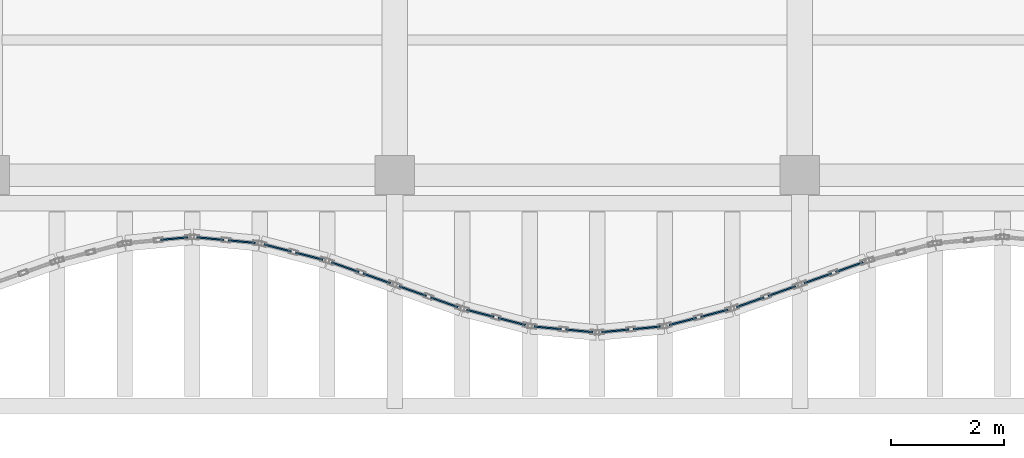
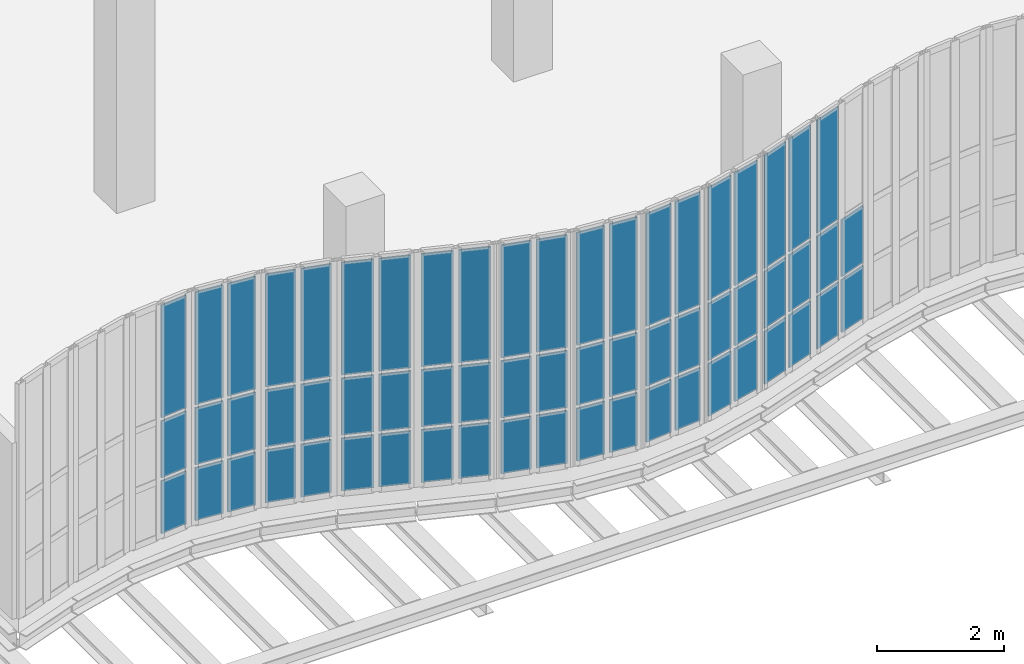
# One storey, part 68 of 108: 62 plates, 11 elements without a shape of their own.
"""IFC4 building model written with IfcOpenShell, lengths in metres."""

from ifc_helpers import new_model, si_unit, direction, frame, origin, origin_2d, place, context, subcontext, project, spatial, rectangle, extrude, material, layer, layer_set, type_object, element, aggregate, save


model = new_model("IFC4")

# Units and contexts
model_context = context("Model", 3, precision=1e-05, world=origin(), true_north=direction((0.0, 1.0)))
body_context = subcontext(model_context, "Body", "Model", "MODEL_VIEW")
ifc_project = project(units=[si_unit("LENGTHUNIT", "METRE"), si_unit("AREAUNIT", "SQUARE_METRE"), si_unit("VOLUMEUNIT", "CUBIC_METRE"), si_unit("PLANEANGLEUNIT", "RADIAN"), si_unit("MASSUNIT", "GRAM", prefix="KILO"), si_unit("THERMODYNAMICTEMPERATUREUNIT", "KELVIN"), si_unit("POWERUNIT", "WATT")], contexts=[model_context])

# Site, building, storey
site_placement = place(None, origin())
site = spatial("IfcSite", under=ifc_project, at=site_placement, CompositionType="ELEMENT")
building_placement = place(site_placement, origin())
building = spatial("IfcBuilding", under=site, at=building_placement, Name="Kaldorven Railside Theatre", CompositionType="ELEMENT")
storey_placement = place(building_placement, frame((0.0, 0.0, 5.39990234375)))
storey = spatial("IfcBuildingStorey", under=building, at=storey_placement, Name="L01", CompositionType="ELEMENT", Elevation=5.39990234375)

# Curtain wall, plates
ifc_material = material(Name="Low-E laminated solar-control glass", Category="glass")
ifc_layer_1 = layer(ifc_material, 0.159912109375, Name="Low-E laminated solar-control glass")
ifc_layer_set_1 = layer_set([ifc_layer_1], Name="Low-E laminated solar-control glass")
curtain_wall_type_1 = type_object("IfcCurtainWallType", Name="CWT-03", PredefinedType="USERDEFINED", material=ifc_layer_set_1)
curtain_wall_1_placement = place(storey_placement, origin())
curtain_wall_1 = element("IfcCurtainWall", 1, at=curtain_wall_1_placement, inside=storey, type_object=curtain_wall_type_1, Name="Sinusoidal Fluted Curtain Wall CW-L01-S03", ObjectType="FLUTED GLAZING", PredefinedType="USERDEFINED")
ifc_layer_2 = layer(ifc_material, 0.028076171875, Name="Low-E laminated solar-control glass")
ifc_layer_set_2 = layer_set([ifc_layer_2], Name="Low-E laminated solar-control glass")
plate_type = type_object("IfcPlateType", Name="CWP-GLZ28", PredefinedType="CURTAIN_PANEL", material=ifc_layer_set_2)
plate_1_placement = place(storey_placement, frame((40.080078125, 18.069580078125, 0.06005859375), z_axis=(0.0, 0.0, 1.0), x_axis=(0.995525623425, 0.094491973758, 0.0)))
plate_1 = element("IfcPlate", 2, at=plate_1_placement, type_object=plate_type, Name="CW-L01-S03 panel 2.1", PredefinedType="CURTAIN_PANEL", context=body_context, shape_type="SweptSolid", body=[
    extrude(rectangle(XDim=0.482666015625, YDim=0.028076171875, at=origin_2d()), origin(), (0.0, 0.0, 1.0), 1.010009765625),
])
plate_2_placement = place(storey_placement, frame((40.080078125, 18.069580078125, 1.1298828125), z_axis=(0.0, 0.0, 1.0), x_axis=(0.995525623425, 0.094491973758, 0.0)))
plate_2 = element("IfcPlate", 3, at=plate_2_placement, type_object=plate_type, Name="CW-L01-S03 panel 2.2", PredefinedType="CURTAIN_PANEL", context=body_context, shape_type="SweptSolid", body=[
    extrude(rectangle(XDim=0.482666015625, YDim=0.028076171875, at=origin_2d()), origin(), (0.0, 0.0, 1.0), 1.090087890625),
])
plate_3_placement = place(storey_placement, frame((40.080078125, 18.069580078125, 2.2802734375), z_axis=(0.0, 0.0, 1.0), x_axis=(0.995525623425, 0.094491973758, 0.0)))
plate_3 = element("IfcPlate", 4, at=plate_3_placement, type_object=plate_type, Name="CW-L01-S03 panel 2.3", PredefinedType="CURTAIN_PANEL", context=body_context, shape_type="SweptSolid", body=[
    extrude(rectangle(XDim=0.482666015625, YDim=0.028076171875, at=origin_2d()), origin(), (0.0, 0.0, 1.0), 2.159912109375),
])
aggregate(curtain_wall_1, [plate_1, plate_2, plate_3])

curtain_wall_2_placement = place(storey_placement, origin())
curtain_wall_2 = element("IfcCurtainWall", 5, at=curtain_wall_2_placement, inside=storey, type_object=curtain_wall_type_1, Name="Sinusoidal Fluted Curtain Wall CW-L01-S04", ObjectType="FLUTED GLAZING", PredefinedType="USERDEFINED")
plate_4_placement = place(storey_placement, frame((40.719970703125, 18.069580078125, 0.06005859375), z_axis=(0.0, 0.0, 1.0), x_axis=(0.995525623425, -0.094491973758, 0.0)))
plate_4 = element("IfcPlate", 6, at=plate_4_placement, type_object=plate_type, Name="CW-L01-S04 panel 1.1", PredefinedType="CURTAIN_PANEL", context=body_context, shape_type="SweptSolid", body=[
    extrude(rectangle(XDim=0.482666015625, YDim=0.028076171875, at=origin_2d()), origin(), (0.0, 0.0, 1.0), 1.010009765625),
])
plate_5_placement = place(storey_placement, frame((40.719970703125, 18.069580078125, 1.1298828125), z_axis=(0.0, 0.0, 1.0), x_axis=(0.995525623425, -0.094491973758, 0.0)))
plate_5 = element("IfcPlate", 7, at=plate_5_placement, type_object=plate_type, Name="CW-L01-S04 panel 1.2", PredefinedType="CURTAIN_PANEL", context=body_context, shape_type="SweptSolid", body=[
    extrude(rectangle(XDim=0.482666015625, YDim=0.028076171875, at=origin_2d()), origin(), (0.0, 0.0, 1.0), 1.090087890625),
])
plate_6_placement = place(storey_placement, frame((40.719970703125, 18.069580078125, 2.2802734375), z_axis=(0.0, 0.0, 1.0), x_axis=(0.995525623425, -0.094491973758, 0.0)))
plate_6 = element("IfcPlate", 8, at=plate_6_placement, type_object=plate_type, Name="CW-L01-S04 panel 1.3", PredefinedType="CURTAIN_PANEL", context=body_context, shape_type="SweptSolid", body=[
    extrude(rectangle(XDim=0.482666015625, YDim=0.028076171875, at=origin_2d()), origin(), (0.0, 0.0, 1.0), 2.159912109375),
])
plate_7_placement = place(storey_placement, frame((41.280029296875, 18.016357421875, 0.06005859375), z_axis=(0.0, 0.0, 1.0), x_axis=(0.995525623425, -0.094491973758, 0.0)))
plate_7 = element("IfcPlate", 9, at=plate_7_placement, type_object=plate_type, Name="CW-L01-S04 panel 2.1", PredefinedType="CURTAIN_PANEL", context=body_context, shape_type="SweptSolid", body=[
    extrude(rectangle(XDim=0.482666015625, YDim=0.028076171875, at=origin_2d()), origin(), (0.0, 0.0, 1.0), 1.010009765625),
])
plate_8_placement = place(storey_placement, frame((41.280029296875, 18.016357421875, 1.1298828125), z_axis=(0.0, 0.0, 1.0), x_axis=(0.995525623425, -0.094491973758, 0.0)))
plate_8 = element("IfcPlate", 10, at=plate_8_placement, type_object=plate_type, Name="CW-L01-S04 panel 2.2", PredefinedType="CURTAIN_PANEL", context=body_context, shape_type="SweptSolid", body=[
    extrude(rectangle(XDim=0.482666015625, YDim=0.028076171875, at=origin_2d()), origin(), (0.0, 0.0, 1.0), 1.090087890625),
])
plate_9_placement = place(storey_placement, frame((41.280029296875, 18.016357421875, 2.2802734375), z_axis=(0.0, 0.0, 1.0), x_axis=(0.995525623425, -0.094491973758, 0.0)))
plate_9 = element("IfcPlate", 11, at=plate_9_placement, type_object=plate_type, Name="CW-L01-S04 panel 2.3", PredefinedType="CURTAIN_PANEL", context=body_context, shape_type="SweptSolid", body=[
    extrude(rectangle(XDim=0.482666015625, YDim=0.028076171875, at=origin_2d()), origin(), (0.0, 0.0, 1.0), 2.159912109375),
])
aggregate(curtain_wall_2, [plate_4, plate_5, plate_6, plate_7, plate_8, plate_9])

ifc_layer_3 = layer(ifc_material, 0.159912109375, Name="Low-E laminated solar-control glass")
ifc_layer_set_3 = layer_set([ifc_layer_3], Name="Low-E laminated solar-control glass")
curtain_wall_type_2 = type_object("IfcCurtainWallType", Name="CWT-02", PredefinedType="USERDEFINED", material=ifc_layer_set_3)
curtain_wall_3_placement = place(storey_placement, origin())
curtain_wall_3 = element("IfcCurtainWall", 12, at=curtain_wall_3_placement, inside=storey, type_object=curtain_wall_type_2, Name="Sinusoidal Fluted Curtain Wall CW-L01-S05", ObjectType="FLUTED GLAZING", PredefinedType="USERDEFINED")
plate_10_placement = place(storey_placement, frame((41.91943359375, 17.9033203125, 0.06005859375), z_axis=(0.0, 0.0, 1.0), x_axis=(0.967999075505, -0.250953760326, 0.0)))
plate_10 = element("IfcPlate", 13, at=plate_10_placement, type_object=plate_type, Name="CW-L01-S05 panel 1.1", PredefinedType="CURTAIN_PANEL", context=body_context, shape_type="SweptSolid", body=[
    extrude(rectangle(XDim=0.499755859375, YDim=0.028076171875, at=origin_2d()), origin(), (0.0, 0.0, 1.0), 1.010009765625),
])
plate_11_placement = place(storey_placement, frame((41.91943359375, 17.9033203125, 1.1298828125), z_axis=(0.0, 0.0, 1.0), x_axis=(0.967999075505, -0.250953760326, 0.0)))
plate_11 = element("IfcPlate", 14, at=plate_11_placement, type_object=plate_type, Name="CW-L01-S05 panel 1.2", PredefinedType="CURTAIN_PANEL", context=body_context, shape_type="SweptSolid", body=[
    extrude(rectangle(XDim=0.499755859375, YDim=0.028076171875, at=origin_2d()), origin(), (0.0, 0.0, 1.0), 1.090087890625),
])
plate_12_placement = place(storey_placement, frame((41.91943359375, 17.9033203125, 2.2802734375), z_axis=(0.0, 0.0, 1.0), x_axis=(0.967999075505, -0.250953760326, 0.0)))
plate_12 = element("IfcPlate", 15, at=plate_12_placement, type_object=plate_type, Name="CW-L01-S05 panel 1.3", PredefinedType="CURTAIN_PANEL", context=body_context, shape_type="SweptSolid", body=[
    extrude(rectangle(XDim=0.499755859375, YDim=0.028076171875, at=origin_2d()), origin(), (0.0, 0.0, 1.0), 2.159912109375),
])
plate_13_placement = place(storey_placement, frame((42.480712890625, 17.7578125, 0.06005859375), z_axis=(0.0, 0.0, 1.0), x_axis=(0.967999075505, -0.250953760326, 0.0)))
plate_13 = element("IfcPlate", 16, at=plate_13_placement, type_object=plate_type, Name="CW-L01-S05 panel 2.1", PredefinedType="CURTAIN_PANEL", context=body_context, shape_type="SweptSolid", body=[
    extrude(rectangle(XDim=0.499755859375, YDim=0.028076171875, at=origin_2d()), origin(), (0.0, 0.0, 1.0), 1.010009765625),
])
plate_14_placement = place(storey_placement, frame((42.480712890625, 17.7578125, 1.1298828125), z_axis=(0.0, 0.0, 1.0), x_axis=(0.967999075505, -0.250953760326, 0.0)))
plate_14 = element("IfcPlate", 17, at=plate_14_placement, type_object=plate_type, Name="CW-L01-S05 panel 2.2", PredefinedType="CURTAIN_PANEL", context=body_context, shape_type="SweptSolid", body=[
    extrude(rectangle(XDim=0.499755859375, YDim=0.028076171875, at=origin_2d()), origin(), (0.0, 0.0, 1.0), 1.090087890625),
])
plate_15_placement = place(storey_placement, frame((42.480712890625, 17.7578125, 2.2802734375), z_axis=(0.0, 0.0, 1.0), x_axis=(0.967999075505, -0.250953760326, 0.0)))
plate_15 = element("IfcPlate", 18, at=plate_15_placement, type_object=plate_type, Name="CW-L01-S05 panel 2.3", PredefinedType="CURTAIN_PANEL", context=body_context, shape_type="SweptSolid", body=[
    extrude(rectangle(XDim=0.499755859375, YDim=0.028076171875, at=origin_2d()), origin(), (0.0, 0.0, 1.0), 2.159912109375),
])
aggregate(curtain_wall_3, [plate_10, plate_11, plate_12, plate_13, plate_14, plate_15])

ifc_layer_4 = layer(ifc_material, 0.159912109375, Name="Low-E laminated solar-control glass")
ifc_layer_set_4 = layer_set([ifc_layer_4], Name="Low-E laminated solar-control glass")
curtain_wall_type_3 = type_object("IfcCurtainWallType", Name="CWT-01", PredefinedType="USERDEFINED", material=ifc_layer_set_4)
curtain_wall_4_placement = place(storey_placement, origin())
curtain_wall_4 = element("IfcCurtainWall", 19, at=curtain_wall_4_placement, inside=storey, type_object=curtain_wall_type_3, Name="Sinusoidal Fluted Curtain Wall CW-L01-S06", ObjectType="FLUTED GLAZING", PredefinedType="USERDEFINED")
plate_16_placement = place(storey_placement, frame((43.118896484375, 17.56201171875, 0.06005859375), z_axis=(0.0, 0.0, 1.0), x_axis=(0.942627225159, -0.33384714225, 0.0)))
plate_16 = element("IfcPlate", 20, at=plate_16_placement, type_object=plate_type, Name="CW-L01-S06 panel 1.1", PredefinedType="CURTAIN_PANEL", context=body_context, shape_type="SweptSolid", body=[
    extrude(rectangle(XDim=0.5166015625, YDim=0.028076171875, at=origin_2d()), origin(), (0.0, 0.0, 1.0), 1.010009765625),
])
plate_17_placement = place(storey_placement, frame((43.118896484375, 17.56201171875, 1.1298828125), z_axis=(0.0, 0.0, 1.0), x_axis=(0.942627225159, -0.33384714225, 0.0)))
plate_17 = element("IfcPlate", 21, at=plate_17_placement, type_object=plate_type, Name="CW-L01-S06 panel 1.2", PredefinedType="CURTAIN_PANEL", context=body_context, shape_type="SweptSolid", body=[
    extrude(rectangle(XDim=0.5166015625, YDim=0.028076171875, at=origin_2d()), origin(), (0.0, 0.0, 1.0), 1.090087890625),
])
plate_18_placement = place(storey_placement, frame((43.118896484375, 17.56201171875, 2.2802734375), z_axis=(0.0, 0.0, 1.0), x_axis=(0.942627225159, -0.33384714225, 0.0)))
plate_18 = element("IfcPlate", 22, at=plate_18_placement, type_object=plate_type, Name="CW-L01-S06 panel 1.3", PredefinedType="CURTAIN_PANEL", context=body_context, shape_type="SweptSolid", body=[
    extrude(rectangle(XDim=0.5166015625, YDim=0.028076171875, at=origin_2d()), origin(), (0.0, 0.0, 1.0), 2.159912109375),
])
plate_19_placement = place(storey_placement, frame((43.68115234375, 17.363037109375, 0.06005859375), z_axis=(0.0, 0.0, 1.0), x_axis=(0.942627225159, -0.33384714225, 0.0)))
plate_19 = element("IfcPlate", 23, at=plate_19_placement, type_object=plate_type, Name="CW-L01-S06 panel 2.1", PredefinedType="CURTAIN_PANEL", context=body_context, shape_type="SweptSolid", body=[
    extrude(rectangle(XDim=0.5166015625, YDim=0.028076171875, at=origin_2d()), origin(), (0.0, 0.0, 1.0), 1.010009765625),
])
plate_20_placement = place(storey_placement, frame((43.68115234375, 17.363037109375, 1.1298828125), z_axis=(0.0, 0.0, 1.0), x_axis=(0.942627225159, -0.33384714225, 0.0)))
plate_20 = element("IfcPlate", 24, at=plate_20_placement, type_object=plate_type, Name="CW-L01-S06 panel 2.2", PredefinedType="CURTAIN_PANEL", context=body_context, shape_type="SweptSolid", body=[
    extrude(rectangle(XDim=0.5166015625, YDim=0.028076171875, at=origin_2d()), origin(), (0.0, 0.0, 1.0), 1.090087890625),
])
plate_21_placement = place(storey_placement, frame((43.68115234375, 17.363037109375, 2.2802734375), z_axis=(0.0, 0.0, 1.0), x_axis=(0.942627225159, -0.33384714225, 0.0)))
plate_21 = element("IfcPlate", 25, at=plate_21_placement, type_object=plate_type, Name="CW-L01-S06 panel 2.3", PredefinedType="CURTAIN_PANEL", context=body_context, shape_type="SweptSolid", body=[
    extrude(rectangle(XDim=0.5166015625, YDim=0.028076171875, at=origin_2d()), origin(), (0.0, 0.0, 1.0), 2.159912109375),
])
aggregate(curtain_wall_4, [plate_16, plate_17, plate_18, plate_19, plate_20, plate_21])

curtain_wall_5_placement = place(storey_placement, origin())
curtain_wall_5 = element("IfcCurtainWall", 26, at=curtain_wall_5_placement, inside=storey, type_object=curtain_wall_type_3, Name="Sinusoidal Fluted Curtain Wall CW-L01-S07", ObjectType="FLUTED GLAZING", PredefinedType="USERDEFINED")
plate_22_placement = place(storey_placement, frame((44.31884765625, 17.136962890625, 0.06005859375), z_axis=(0.0, 0.0, 1.0), x_axis=(0.942627225159, -0.33384714225, 0.0)))
plate_22 = element("IfcPlate", 27, at=plate_22_placement, type_object=plate_type, Name="CW-L01-S07 panel 1.1", PredefinedType="CURTAIN_PANEL", context=body_context, shape_type="SweptSolid", body=[
    extrude(rectangle(XDim=0.5166015625, YDim=0.028076171875, at=origin_2d()), origin(), (0.0, 0.0, 1.0), 1.010009765625),
])
plate_23_placement = place(storey_placement, frame((44.31884765625, 17.136962890625, 1.1298828125), z_axis=(0.0, 0.0, 1.0), x_axis=(0.942627225159, -0.33384714225, 0.0)))
plate_23 = element("IfcPlate", 28, at=plate_23_placement, type_object=plate_type, Name="CW-L01-S07 panel 1.2", PredefinedType="CURTAIN_PANEL", context=body_context, shape_type="SweptSolid", body=[
    extrude(rectangle(XDim=0.5166015625, YDim=0.028076171875, at=origin_2d()), origin(), (0.0, 0.0, 1.0), 1.090087890625),
])
plate_24_placement = place(storey_placement, frame((44.31884765625, 17.136962890625, 2.2802734375), z_axis=(0.0, 0.0, 1.0), x_axis=(0.942627225159, -0.33384714225, 0.0)))
plate_24 = element("IfcPlate", 29, at=plate_24_placement, type_object=plate_type, Name="CW-L01-S07 panel 1.3", PredefinedType="CURTAIN_PANEL", context=body_context, shape_type="SweptSolid", body=[
    extrude(rectangle(XDim=0.5166015625, YDim=0.028076171875, at=origin_2d()), origin(), (0.0, 0.0, 1.0), 2.159912109375),
])
plate_25_placement = place(storey_placement, frame((44.881103515625, 16.93798828125, 0.06005859375), z_axis=(0.0, 0.0, 1.0), x_axis=(0.942627225159, -0.33384714225, 0.0)))
plate_25 = element("IfcPlate", 30, at=plate_25_placement, type_object=plate_type, Name="CW-L01-S07 panel 2.1", PredefinedType="CURTAIN_PANEL", context=body_context, shape_type="SweptSolid", body=[
    extrude(rectangle(XDim=0.5166015625, YDim=0.028076171875, at=origin_2d()), origin(), (0.0, 0.0, 1.0), 1.010009765625),
])
plate_26_placement = place(storey_placement, frame((44.881103515625, 16.93798828125, 1.1298828125), z_axis=(0.0, 0.0, 1.0), x_axis=(0.942627225159, -0.33384714225, 0.0)))
plate_26 = element("IfcPlate", 31, at=plate_26_placement, type_object=plate_type, Name="CW-L01-S07 panel 2.2", PredefinedType="CURTAIN_PANEL", context=body_context, shape_type="SweptSolid", body=[
    extrude(rectangle(XDim=0.5166015625, YDim=0.028076171875, at=origin_2d()), origin(), (0.0, 0.0, 1.0), 1.090087890625),
])
plate_27_placement = place(storey_placement, frame((44.881103515625, 16.93798828125, 2.2802734375), z_axis=(0.0, 0.0, 1.0), x_axis=(0.942627225159, -0.33384714225, 0.0)))
plate_27 = element("IfcPlate", 32, at=plate_27_placement, type_object=plate_type, Name="CW-L01-S07 panel 2.3", PredefinedType="CURTAIN_PANEL", context=body_context, shape_type="SweptSolid", body=[
    extrude(rectangle(XDim=0.5166015625, YDim=0.028076171875, at=origin_2d()), origin(), (0.0, 0.0, 1.0), 2.159912109375),
])
aggregate(curtain_wall_5, [plate_22, plate_23, plate_24, plate_25, plate_26, plate_27])

curtain_wall_6_placement = place(storey_placement, origin())
curtain_wall_6 = element("IfcCurtainWall", 33, at=curtain_wall_6_placement, inside=storey, type_object=curtain_wall_type_2, Name="Sinusoidal Fluted Curtain Wall CW-L01-S08", ObjectType="FLUTED GLAZING", PredefinedType="USERDEFINED")
plate_28_placement = place(storey_placement, frame((45.519287109375, 16.7421875, 0.06005859375), z_axis=(0.0, 0.0, 1.0), x_axis=(0.967999075505, -0.250953760326, 0.0)))
plate_28 = element("IfcPlate", 34, at=plate_28_placement, type_object=plate_type, Name="CW-L01-S08 panel 1.1", PredefinedType="CURTAIN_PANEL", context=body_context, shape_type="SweptSolid", body=[
    extrude(rectangle(XDim=0.499755859375, YDim=0.028076171875, at=origin_2d()), origin(), (0.0, 0.0, 1.0), 1.010009765625),
])
plate_29_placement = place(storey_placement, frame((45.519287109375, 16.7421875, 1.1298828125), z_axis=(0.0, 0.0, 1.0), x_axis=(0.967999075505, -0.250953760326, 0.0)))
plate_29 = element("IfcPlate", 35, at=plate_29_placement, type_object=plate_type, Name="CW-L01-S08 panel 1.2", PredefinedType="CURTAIN_PANEL", context=body_context, shape_type="SweptSolid", body=[
    extrude(rectangle(XDim=0.499755859375, YDim=0.028076171875, at=origin_2d()), origin(), (0.0, 0.0, 1.0), 1.090087890625),
])
plate_30_placement = place(storey_placement, frame((45.519287109375, 16.7421875, 2.2802734375), z_axis=(0.0, 0.0, 1.0), x_axis=(0.967999075505, -0.250953760326, 0.0)))
plate_30 = element("IfcPlate", 36, at=plate_30_placement, type_object=plate_type, Name="CW-L01-S08 panel 1.3", PredefinedType="CURTAIN_PANEL", context=body_context, shape_type="SweptSolid", body=[
    extrude(rectangle(XDim=0.499755859375, YDim=0.028076171875, at=origin_2d()), origin(), (0.0, 0.0, 1.0), 2.159912109375),
])
plate_31_placement = place(storey_placement, frame((46.08056640625, 16.5966796875, 0.06005859375), z_axis=(0.0, 0.0, 1.0), x_axis=(0.967999075505, -0.250953760326, 0.0)))
plate_31 = element("IfcPlate", 37, at=plate_31_placement, type_object=plate_type, Name="CW-L01-S08 panel 2.1", PredefinedType="CURTAIN_PANEL", context=body_context, shape_type="SweptSolid", body=[
    extrude(rectangle(XDim=0.499755859375, YDim=0.028076171875, at=origin_2d()), origin(), (0.0, 0.0, 1.0), 1.010009765625),
])
plate_32_placement = place(storey_placement, frame((46.08056640625, 16.5966796875, 1.1298828125), z_axis=(0.0, 0.0, 1.0), x_axis=(0.967999075505, -0.250953760326, 0.0)))
plate_32 = element("IfcPlate", 38, at=plate_32_placement, type_object=plate_type, Name="CW-L01-S08 panel 2.2", PredefinedType="CURTAIN_PANEL", context=body_context, shape_type="SweptSolid", body=[
    extrude(rectangle(XDim=0.499755859375, YDim=0.028076171875, at=origin_2d()), origin(), (0.0, 0.0, 1.0), 1.090087890625),
])
plate_33_placement = place(storey_placement, frame((46.08056640625, 16.5966796875, 2.2802734375), z_axis=(0.0, 0.0, 1.0), x_axis=(0.967999075505, -0.250953760326, 0.0)))
plate_33 = element("IfcPlate", 39, at=plate_33_placement, type_object=plate_type, Name="CW-L01-S08 panel 2.3", PredefinedType="CURTAIN_PANEL", context=body_context, shape_type="SweptSolid", body=[
    extrude(rectangle(XDim=0.499755859375, YDim=0.028076171875, at=origin_2d()), origin(), (0.0, 0.0, 1.0), 2.159912109375),
])
aggregate(curtain_wall_6, [plate_28, plate_29, plate_30, plate_31, plate_32, plate_33])

curtain_wall_7_placement = place(storey_placement, origin())
curtain_wall_7 = element("IfcCurtainWall", 40, at=curtain_wall_7_placement, inside=storey, type_object=curtain_wall_type_1, Name="Sinusoidal Fluted Curtain Wall CW-L01-S09", ObjectType="FLUTED GLAZING", PredefinedType="USERDEFINED")
plate_34_placement = place(storey_placement, frame((46.719970703125, 16.483642578125, 0.06005859375), z_axis=(0.0, 0.0, 1.0), x_axis=(0.995525623425, -0.094491973758, 0.0)))
plate_34 = element("IfcPlate", 41, at=plate_34_placement, type_object=plate_type, Name="CW-L01-S09 panel 1.1", PredefinedType="CURTAIN_PANEL", context=body_context, shape_type="SweptSolid", body=[
    extrude(rectangle(XDim=0.482666015625, YDim=0.028076171875, at=origin_2d()), origin(), (0.0, 0.0, 1.0), 1.010009765625),
])
plate_35_placement = place(storey_placement, frame((46.719970703125, 16.483642578125, 1.1298828125), z_axis=(0.0, 0.0, 1.0), x_axis=(0.995525623425, -0.094491973758, 0.0)))
plate_35 = element("IfcPlate", 42, at=plate_35_placement, type_object=plate_type, Name="CW-L01-S09 panel 1.2", PredefinedType="CURTAIN_PANEL", context=body_context, shape_type="SweptSolid", body=[
    extrude(rectangle(XDim=0.482666015625, YDim=0.028076171875, at=origin_2d()), origin(), (0.0, 0.0, 1.0), 1.090087890625),
])
plate_36_placement = place(storey_placement, frame((46.719970703125, 16.483642578125, 2.2802734375), z_axis=(0.0, 0.0, 1.0), x_axis=(0.995525623425, -0.094491973758, 0.0)))
plate_36 = element("IfcPlate", 43, at=plate_36_placement, type_object=plate_type, Name="CW-L01-S09 panel 1.3", PredefinedType="CURTAIN_PANEL", context=body_context, shape_type="SweptSolid", body=[
    extrude(rectangle(XDim=0.482666015625, YDim=0.028076171875, at=origin_2d()), origin(), (0.0, 0.0, 1.0), 2.159912109375),
])
plate_37_placement = place(storey_placement, frame((47.280029296875, 16.430419921875, 0.06005859375), z_axis=(0.0, 0.0, 1.0), x_axis=(0.995525623425, -0.094491973758, 0.0)))
plate_37 = element("IfcPlate", 44, at=plate_37_placement, type_object=plate_type, Name="CW-L01-S09 panel 2.1", PredefinedType="CURTAIN_PANEL", context=body_context, shape_type="SweptSolid", body=[
    extrude(rectangle(XDim=0.482666015625, YDim=0.028076171875, at=origin_2d()), origin(), (0.0, 0.0, 1.0), 1.010009765625),
])
plate_38_placement = place(storey_placement, frame((47.280029296875, 16.430419921875, 1.1298828125), z_axis=(0.0, 0.0, 1.0), x_axis=(0.995525623425, -0.094491973758, 0.0)))
plate_38 = element("IfcPlate", 45, at=plate_38_placement, type_object=plate_type, Name="CW-L01-S09 panel 2.2", PredefinedType="CURTAIN_PANEL", context=body_context, shape_type="SweptSolid", body=[
    extrude(rectangle(XDim=0.482666015625, YDim=0.028076171875, at=origin_2d()), origin(), (0.0, 0.0, 1.0), 1.090087890625),
])
plate_39_placement = place(storey_placement, frame((47.280029296875, 16.430419921875, 2.2802734375), z_axis=(0.0, 0.0, 1.0), x_axis=(0.995525623425, -0.094491973758, 0.0)))
plate_39 = element("IfcPlate", 46, at=plate_39_placement, type_object=plate_type, Name="CW-L01-S09 panel 2.3", PredefinedType="CURTAIN_PANEL", context=body_context, shape_type="SweptSolid", body=[
    extrude(rectangle(XDim=0.482666015625, YDim=0.028076171875, at=origin_2d()), origin(), (0.0, 0.0, 1.0), 2.159912109375),
])
aggregate(curtain_wall_7, [plate_34, plate_35, plate_36, plate_37, plate_38, plate_39])

curtain_wall_8_placement = place(storey_placement, origin())
curtain_wall_8 = element("IfcCurtainWall", 47, at=curtain_wall_8_placement, inside=storey, type_object=curtain_wall_type_1, Name="Sinusoidal Fluted Curtain Wall CW-L01-S10", ObjectType="FLUTED GLAZING", PredefinedType="USERDEFINED")
plate_40_placement = place(storey_placement, frame((47.919921875, 16.430419921875, 0.06005859375), z_axis=(0.0, 0.0, 1.0), x_axis=(0.995525623425, 0.094491973758, 0.0)))
plate_40 = element("IfcPlate", 48, at=plate_40_placement, type_object=plate_type, Name="CW-L01-S10 panel 1.1", PredefinedType="CURTAIN_PANEL", context=body_context, shape_type="SweptSolid", body=[
    extrude(rectangle(XDim=0.482666015625, YDim=0.028076171875, at=origin_2d()), origin(), (0.0, 0.0, 1.0), 1.010009765625),
])
plate_41_placement = place(storey_placement, frame((47.919921875, 16.430419921875, 1.1298828125), z_axis=(0.0, 0.0, 1.0), x_axis=(0.995525623425, 0.094491973758, 0.0)))
plate_41 = element("IfcPlate", 49, at=plate_41_placement, type_object=plate_type, Name="CW-L01-S10 panel 1.2", PredefinedType="CURTAIN_PANEL", context=body_context, shape_type="SweptSolid", body=[
    extrude(rectangle(XDim=0.482666015625, YDim=0.028076171875, at=origin_2d()), origin(), (0.0, 0.0, 1.0), 1.090087890625),
])
plate_42_placement = place(storey_placement, frame((47.919921875, 16.430419921875, 2.2802734375), z_axis=(0.0, 0.0, 1.0), x_axis=(0.995525623425, 0.094491973758, 0.0)))
plate_42 = element("IfcPlate", 50, at=plate_42_placement, type_object=plate_type, Name="CW-L01-S10 panel 1.3", PredefinedType="CURTAIN_PANEL", context=body_context, shape_type="SweptSolid", body=[
    extrude(rectangle(XDim=0.482666015625, YDim=0.028076171875, at=origin_2d()), origin(), (0.0, 0.0, 1.0), 2.159912109375),
])
plate_43_placement = place(storey_placement, frame((48.47998046875, 16.483642578125, 0.06005859375), z_axis=(0.0, 0.0, 1.0), x_axis=(0.995525623425, 0.094491973758, 0.0)))
plate_43 = element("IfcPlate", 51, at=plate_43_placement, type_object=plate_type, Name="CW-L01-S10 panel 2.1", PredefinedType="CURTAIN_PANEL", context=body_context, shape_type="SweptSolid", body=[
    extrude(rectangle(XDim=0.482666015625, YDim=0.028076171875, at=origin_2d()), origin(), (0.0, 0.0, 1.0), 1.010009765625),
])
plate_44_placement = place(storey_placement, frame((48.47998046875, 16.483642578125, 1.1298828125), z_axis=(0.0, 0.0, 1.0), x_axis=(0.995525623425, 0.094491973758, 0.0)))
plate_44 = element("IfcPlate", 52, at=plate_44_placement, type_object=plate_type, Name="CW-L01-S10 panel 2.2", PredefinedType="CURTAIN_PANEL", context=body_context, shape_type="SweptSolid", body=[
    extrude(rectangle(XDim=0.482666015625, YDim=0.028076171875, at=origin_2d()), origin(), (0.0, 0.0, 1.0), 1.090087890625),
])
plate_45_placement = place(storey_placement, frame((48.47998046875, 16.483642578125, 2.2802734375), z_axis=(0.0, 0.0, 1.0), x_axis=(0.995525623425, 0.094491973758, 0.0)))
plate_45 = element("IfcPlate", 53, at=plate_45_placement, type_object=plate_type, Name="CW-L01-S10 panel 2.3", PredefinedType="CURTAIN_PANEL", context=body_context, shape_type="SweptSolid", body=[
    extrude(rectangle(XDim=0.482666015625, YDim=0.028076171875, at=origin_2d()), origin(), (0.0, 0.0, 1.0), 2.159912109375),
])
aggregate(curtain_wall_8, [plate_40, plate_41, plate_42, plate_43, plate_44, plate_45])

curtain_wall_9_placement = place(storey_placement, origin())
curtain_wall_9 = element("IfcCurtainWall", 54, at=curtain_wall_9_placement, inside=storey, type_object=curtain_wall_type_2, Name="Sinusoidal Fluted Curtain Wall CW-L01-S11", ObjectType="FLUTED GLAZING", PredefinedType="USERDEFINED")
plate_46_placement = place(storey_placement, frame((49.119384765625, 16.5966796875, 0.06005859375), z_axis=(0.0, 0.0, 1.0), x_axis=(0.967999075505, 0.250953760326, 0.0)))
plate_46 = element("IfcPlate", 55, at=plate_46_placement, type_object=plate_type, Name="CW-L01-S11 panel 1.1", PredefinedType="CURTAIN_PANEL", context=body_context, shape_type="SweptSolid", body=[
    extrude(rectangle(XDim=0.499755859375, YDim=0.028076171875, at=origin_2d()), origin(), (0.0, 0.0, 1.0), 1.010009765625),
])
plate_47_placement = place(storey_placement, frame((49.119384765625, 16.5966796875, 1.1298828125), z_axis=(0.0, 0.0, 1.0), x_axis=(0.967999075505, 0.250953760326, 0.0)))
plate_47 = element("IfcPlate", 56, at=plate_47_placement, type_object=plate_type, Name="CW-L01-S11 panel 1.2", PredefinedType="CURTAIN_PANEL", context=body_context, shape_type="SweptSolid", body=[
    extrude(rectangle(XDim=0.499755859375, YDim=0.028076171875, at=origin_2d()), origin(), (0.0, 0.0, 1.0), 1.090087890625),
])
plate_48_placement = place(storey_placement, frame((49.119384765625, 16.5966796875, 2.2802734375), z_axis=(0.0, 0.0, 1.0), x_axis=(0.967999075505, 0.250953760326, 0.0)))
plate_48 = element("IfcPlate", 57, at=plate_48_placement, type_object=plate_type, Name="CW-L01-S11 panel 1.3", PredefinedType="CURTAIN_PANEL", context=body_context, shape_type="SweptSolid", body=[
    extrude(rectangle(XDim=0.499755859375, YDim=0.028076171875, at=origin_2d()), origin(), (0.0, 0.0, 1.0), 2.159912109375),
])
plate_49_placement = place(storey_placement, frame((49.6806640625, 16.7421875, 0.06005859375), z_axis=(0.0, 0.0, 1.0), x_axis=(0.967999075505, 0.250953760326, 0.0)))
plate_49 = element("IfcPlate", 58, at=plate_49_placement, type_object=plate_type, Name="CW-L01-S11 panel 2.1", PredefinedType="CURTAIN_PANEL", context=body_context, shape_type="SweptSolid", body=[
    extrude(rectangle(XDim=0.499755859375, YDim=0.028076171875, at=origin_2d()), origin(), (0.0, 0.0, 1.0), 1.010009765625),
])
plate_50_placement = place(storey_placement, frame((49.6806640625, 16.7421875, 1.1298828125), z_axis=(0.0, 0.0, 1.0), x_axis=(0.967999075505, 0.250953760326, 0.0)))
plate_50 = element("IfcPlate", 59, at=plate_50_placement, type_object=plate_type, Name="CW-L01-S11 panel 2.2", PredefinedType="CURTAIN_PANEL", context=body_context, shape_type="SweptSolid", body=[
    extrude(rectangle(XDim=0.499755859375, YDim=0.028076171875, at=origin_2d()), origin(), (0.0, 0.0, 1.0), 1.090087890625),
])
plate_51_placement = place(storey_placement, frame((49.6806640625, 16.7421875, 2.2802734375), z_axis=(0.0, 0.0, 1.0), x_axis=(0.967999075505, 0.250953760326, 0.0)))
plate_51 = element("IfcPlate", 60, at=plate_51_placement, type_object=plate_type, Name="CW-L01-S11 panel 2.3", PredefinedType="CURTAIN_PANEL", context=body_context, shape_type="SweptSolid", body=[
    extrude(rectangle(XDim=0.499755859375, YDim=0.028076171875, at=origin_2d()), origin(), (0.0, 0.0, 1.0), 2.159912109375),
])
aggregate(curtain_wall_9, [plate_46, plate_47, plate_48, plate_49, plate_50, plate_51])

curtain_wall_10_placement = place(storey_placement, origin())
curtain_wall_10 = element("IfcCurtainWall", 61, at=curtain_wall_10_placement, inside=storey, type_object=curtain_wall_type_3, Name="Sinusoidal Fluted Curtain Wall CW-L01-S12", ObjectType="FLUTED GLAZING", PredefinedType="USERDEFINED")
plate_52_placement = place(storey_placement, frame((50.31884765625, 16.93798828125, 0.06005859375), z_axis=(0.0, 0.0, 1.0), x_axis=(0.942627225159, 0.33384714225, 0.0)))
plate_52 = element("IfcPlate", 62, at=plate_52_placement, type_object=plate_type, Name="CW-L01-S12 panel 1.1", PredefinedType="CURTAIN_PANEL", context=body_context, shape_type="SweptSolid", body=[
    extrude(rectangle(XDim=0.5166015625, YDim=0.028076171875, at=origin_2d()), origin(), (0.0, 0.0, 1.0), 1.010009765625),
])
plate_53_placement = place(storey_placement, frame((50.31884765625, 16.93798828125, 1.1298828125), z_axis=(0.0, 0.0, 1.0), x_axis=(0.942627225159, 0.33384714225, 0.0)))
plate_53 = element("IfcPlate", 63, at=plate_53_placement, type_object=plate_type, Name="CW-L01-S12 panel 1.2", PredefinedType="CURTAIN_PANEL", context=body_context, shape_type="SweptSolid", body=[
    extrude(rectangle(XDim=0.5166015625, YDim=0.028076171875, at=origin_2d()), origin(), (0.0, 0.0, 1.0), 1.090087890625),
])
plate_54_placement = place(storey_placement, frame((50.31884765625, 16.93798828125, 2.2802734375), z_axis=(0.0, 0.0, 1.0), x_axis=(0.942627225159, 0.33384714225, 0.0)))
plate_54 = element("IfcPlate", 64, at=plate_54_placement, type_object=plate_type, Name="CW-L01-S12 panel 1.3", PredefinedType="CURTAIN_PANEL", context=body_context, shape_type="SweptSolid", body=[
    extrude(rectangle(XDim=0.5166015625, YDim=0.028076171875, at=origin_2d()), origin(), (0.0, 0.0, 1.0), 2.159912109375),
])
plate_55_placement = place(storey_placement, frame((50.881103515625, 17.136962890625, 0.06005859375), z_axis=(0.0, 0.0, 1.0), x_axis=(0.942627225159, 0.33384714225, 0.0)))
plate_55 = element("IfcPlate", 65, at=plate_55_placement, type_object=plate_type, Name="CW-L01-S12 panel 2.1", PredefinedType="CURTAIN_PANEL", context=body_context, shape_type="SweptSolid", body=[
    extrude(rectangle(XDim=0.5166015625, YDim=0.028076171875, at=origin_2d()), origin(), (0.0, 0.0, 1.0), 1.010009765625),
])
plate_56_placement = place(storey_placement, frame((50.881103515625, 17.136962890625, 1.1298828125), z_axis=(0.0, 0.0, 1.0), x_axis=(0.942627225159, 0.33384714225, 0.0)))
plate_56 = element("IfcPlate", 66, at=plate_56_placement, type_object=plate_type, Name="CW-L01-S12 panel 2.2", PredefinedType="CURTAIN_PANEL", context=body_context, shape_type="SweptSolid", body=[
    extrude(rectangle(XDim=0.5166015625, YDim=0.028076171875, at=origin_2d()), origin(), (0.0, 0.0, 1.0), 1.090087890625),
])
plate_57_placement = place(storey_placement, frame((50.881103515625, 17.136962890625, 2.2802734375), z_axis=(0.0, 0.0, 1.0), x_axis=(0.942627225159, 0.33384714225, 0.0)))
plate_57 = element("IfcPlate", 67, at=plate_57_placement, type_object=plate_type, Name="CW-L01-S12 panel 2.3", PredefinedType="CURTAIN_PANEL", context=body_context, shape_type="SweptSolid", body=[
    extrude(rectangle(XDim=0.5166015625, YDim=0.028076171875, at=origin_2d()), origin(), (0.0, 0.0, 1.0), 2.159912109375),
])
aggregate(curtain_wall_10, [plate_52, plate_53, plate_54, plate_55, plate_56, plate_57])

curtain_wall_11_placement = place(storey_placement, origin())
curtain_wall_11 = element("IfcCurtainWall", 68, at=curtain_wall_11_placement, inside=storey, type_object=curtain_wall_type_3, Name="Sinusoidal Fluted Curtain Wall CW-L01-S13", ObjectType="FLUTED GLAZING", PredefinedType="USERDEFINED")
plate_58_placement = place(storey_placement, frame((51.518798828125, 17.363037109375, 0.06005859375), z_axis=(0.0, 0.0, 1.0), x_axis=(0.942627225159, 0.33384714225, 0.0)))
plate_58 = element("IfcPlate", 69, at=plate_58_placement, type_object=plate_type, Name="CW-L01-S13 panel 1.1", PredefinedType="CURTAIN_PANEL", context=body_context, shape_type="SweptSolid", body=[
    extrude(rectangle(XDim=0.5166015625, YDim=0.028076171875, at=origin_2d()), origin(), (0.0, 0.0, 1.0), 1.010009765625),
])
plate_59_placement = place(storey_placement, frame((51.518798828125, 17.363037109375, 1.1298828125), z_axis=(0.0, 0.0, 1.0), x_axis=(0.942627225159, 0.33384714225, 0.0)))
plate_59 = element("IfcPlate", 70, at=plate_59_placement, type_object=plate_type, Name="CW-L01-S13 panel 1.2", PredefinedType="CURTAIN_PANEL", context=body_context, shape_type="SweptSolid", body=[
    extrude(rectangle(XDim=0.5166015625, YDim=0.028076171875, at=origin_2d()), origin(), (0.0, 0.0, 1.0), 1.090087890625),
])
plate_60_placement = place(storey_placement, frame((51.518798828125, 17.363037109375, 2.2802734375), z_axis=(0.0, 0.0, 1.0), x_axis=(0.942627225159, 0.33384714225, 0.0)))
plate_60 = element("IfcPlate", 71, at=plate_60_placement, type_object=plate_type, Name="CW-L01-S13 panel 1.3", PredefinedType="CURTAIN_PANEL", context=body_context, shape_type="SweptSolid", body=[
    extrude(rectangle(XDim=0.5166015625, YDim=0.028076171875, at=origin_2d()), origin(), (0.0, 0.0, 1.0), 2.159912109375),
])
plate_61_placement = place(storey_placement, frame((52.0810546875, 17.56201171875, 0.06005859375), z_axis=(0.0, 0.0, 1.0), x_axis=(0.942627225159, 0.33384714225, 0.0)))
plate_61 = element("IfcPlate", 72, at=plate_61_placement, type_object=plate_type, Name="CW-L01-S13 panel 2.1", PredefinedType="CURTAIN_PANEL", context=body_context, shape_type="SweptSolid", body=[
    extrude(rectangle(XDim=0.5166015625, YDim=0.028076171875, at=origin_2d()), origin(), (0.0, 0.0, 1.0), 1.010009765625),
])
plate_62_placement = place(storey_placement, frame((52.0810546875, 17.56201171875, 1.1298828125), z_axis=(0.0, 0.0, 1.0), x_axis=(0.942627225159, 0.33384714225, 0.0)))
plate_62 = element("IfcPlate", 73, at=plate_62_placement, type_object=plate_type, Name="CW-L01-S13 panel 2.2", PredefinedType="CURTAIN_PANEL", context=body_context, shape_type="SweptSolid", body=[
    extrude(rectangle(XDim=0.5166015625, YDim=0.028076171875, at=origin_2d()), origin(), (0.0, 0.0, 1.0), 1.090087890625),
])
aggregate(curtain_wall_11, [plate_58, plate_59, plate_60, plate_61, plate_62])

save(model, "model.ifc")
